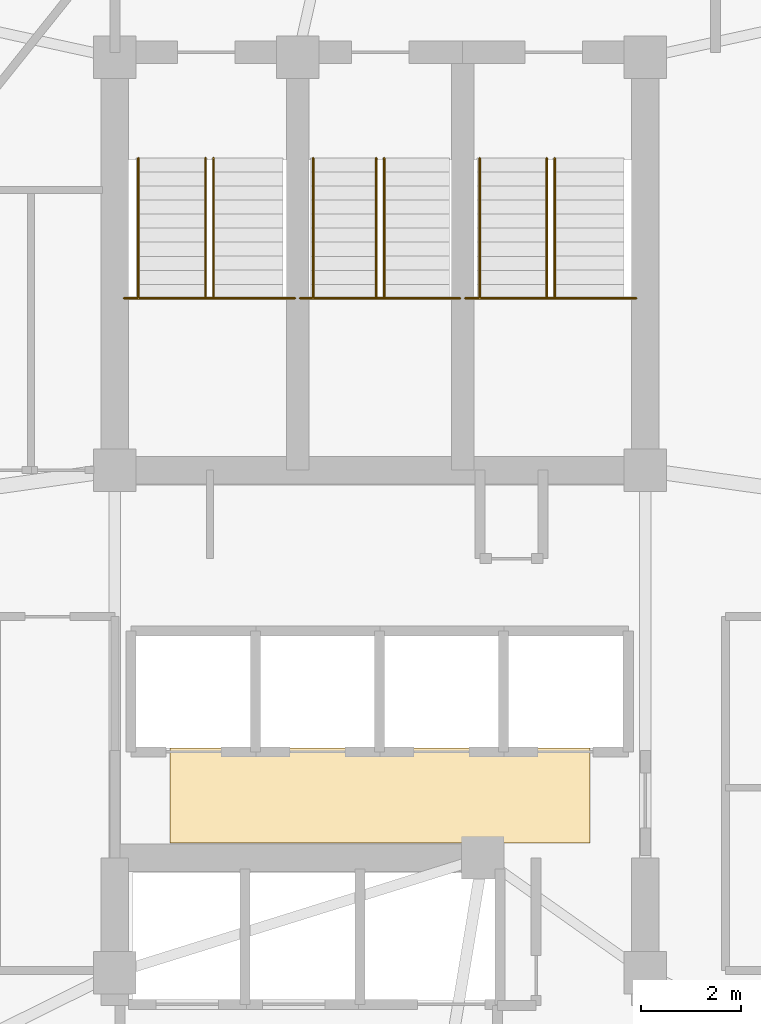
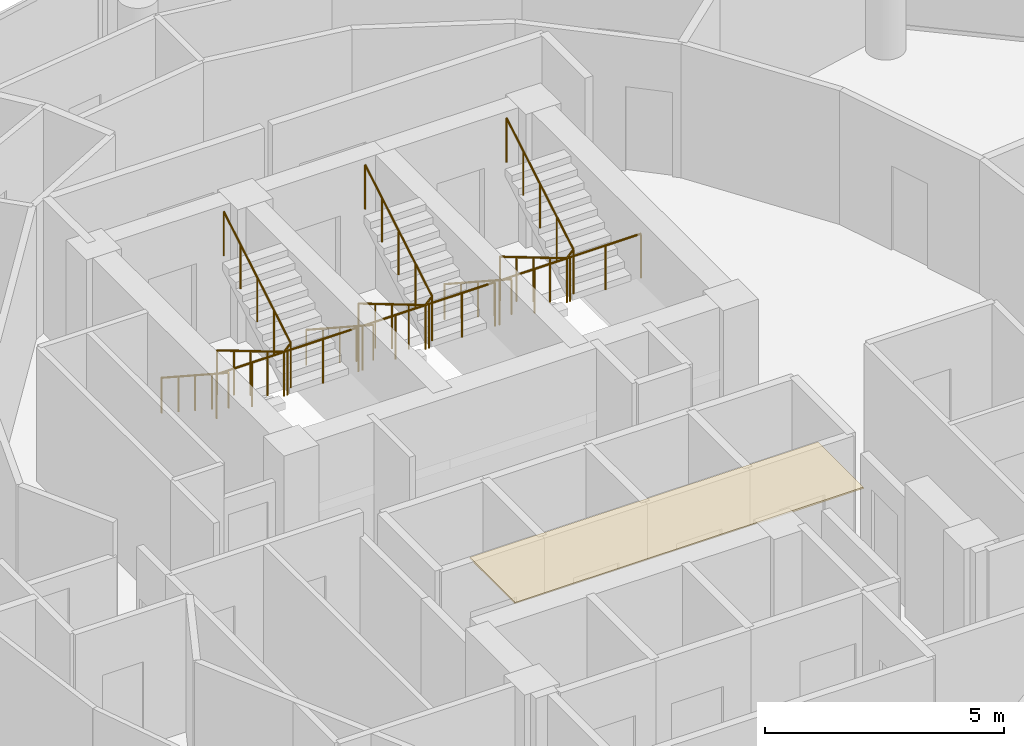
# One storey, part 27 of 27: 9 railings, 1 covering.
"""IFC4 building model written with IfcOpenShell, lengths in metres."""

from ifc_helpers import new_model, si_unit, direction, frame, origin, place, context, subcontext, project, spatial, polyline, outline, extrude, material, layer, layer_set, type_object, element, save


model = new_model("IFC4")

# Units and contexts
model_context = context("Model", 3, precision=1e-05, world=origin(), true_north=direction((0.0, 1.0)))
body_context = subcontext(model_context, "Body", "Model", "MODEL_VIEW")
ifc_project = project(units=[si_unit("LENGTHUNIT", "METRE"), si_unit("AREAUNIT", "SQUARE_METRE"), si_unit("VOLUMEUNIT", "CUBIC_METRE"), si_unit("PLANEANGLEUNIT", "RADIAN"), si_unit("MASSUNIT", "GRAM", prefix="KILO")], contexts=[model_context])

# Site, building, storey
site_placement = place(None, origin())
site = spatial("IfcSite", under=ifc_project, at=site_placement, CompositionType="ELEMENT")
building_placement = place(site_placement, origin())
building = spatial("IfcBuilding", under=site, at=building_placement, Name="Nuhasar Tower", CompositionType="ELEMENT")
storey_placement = place(building_placement, frame((0.0, 0.0, 215.449951171875)))
storey = spatial("IfcBuildingStorey", under=building, at=storey_placement, Name="L52", CompositionType="ELEMENT", Elevation=215.449951171875)

# Covering
ifc_material_1 = material(Name="Mineral Fibre Acoustic", Category="insulation")
ifc_layer = layer(ifc_material_1, 0.0400390625)
ifc_layer_set = layer_set([ifc_layer], Name="Mineral Fibre Acoustic")
covering_type = type_object("IfcCoveringType", Name="COV-CEIL-AC60", PredefinedType="CEILING", material=ifc_layer_set)
covering_placement = place(storey_placement, frame((0.0, 0.0, 3.3701171875)))
element("IfcCovering", 1, at=covering_placement, inside=storey, type_object=covering_type, Name="L52 Lift Lobby Acoustic Ceiling", PredefinedType="CEILING", context=body_context, shape_type="SweptSolid", body=[
    extrude(outline(polyline([(34.800048828125, 21.60009765625), (43.199951171875, 21.60009765625), (43.199951171875, 23.5), (34.800048828125, 23.5), (34.800048828125, 21.60009765625)])), origin(), (0.0, 0.0, 1.0), 0.0400390625),
])

# Railings
ifc_material_2 = material(Name="Steel S355", Category="steel")
railing_type_1 = type_object("IfcRailingType", Name="RLG-STAIR-GUARD-1150", PredefinedType="GUARDRAIL", material=ifc_material_2)
railing_1_placement = place(storey_placement, frame((33.8798828125, 32.485107421875, 1.824951171875)))
element("IfcRailing", 2, at=railing_1_placement, inside=storey, type_object=railing_type_1, Name="L52 Stair ST-01 Guardrail LND", PredefinedType="GUARDRAIL", context=body_context, shape_type="SweptSolid", body=[
    extrude(outline(polyline([(0.024169921875, 0.0), (0.01708984375, 0.01708984375), (0.0, 0.024169921875), (-0.01708984375, 0.01708984375), (-0.024169921875, 0.0), (-0.01708984375, -0.01708984375), (0.0, -0.024169921875), (0.01708984375, -0.01708984375), (0.024169921875, 0.0)])), frame((0.0, 0.0, 1.1259765625), z_axis=(1.0, 0.0, 0.0), x_axis=(0.0, 1.0, 0.0)), (0.0, 0.0, 1.0), 3.420166015625),
    extrude(outline(polyline([(0.02099609375, 0.0), (0.014892578125, 0.014892578125), (0.0, 0.02099609375), (-0.014892578125, 0.014892578125), (-0.02099609375, 0.0), (-0.014892578125, -0.014892578125), (0.0, -0.02099609375), (0.014892578125, -0.014892578125), (0.02099609375, 0.0)])), origin(), (0.0, 0.0, 1.0), 1.101806640625),
    extrude(outline(polyline([(0.02099609375, 0.0), (0.014892578125, 0.014892578125), (0.0, 0.02099609375), (-0.014892578125, 0.014892578125), (-0.02099609375, 0.0), (-0.014892578125, -0.014892578125), (0.0, -0.02099609375), (0.014892578125, -0.014892578125), (0.02099609375, 0.0)])), frame((0.85498046875, 0.0, 0.0)), (0.0, 0.0, 1.0), 1.101806640625),
    extrude(outline(polyline([(0.02099609375, 0.0), (0.014892578125, 0.014892578125), (0.0, 0.02099609375), (-0.014892578125, 0.014892578125), (-0.02099609375, 0.0), (-0.014892578125, -0.014892578125), (0.0, -0.02099609375), (0.014892578125, -0.014892578125), (0.02099609375, 0.0)])), frame((1.7099609375, 0.0, 0.0)), (0.0, 0.0, 1.0), 1.101806640625),
    extrude(outline(polyline([(0.02099609375, 0.0), (0.014892578125, 0.014892578125), (0.0, 0.02099609375), (-0.014892578125, 0.014892578125), (-0.02099609375, 0.0), (-0.014892578125, -0.014892578125), (0.0, -0.02099609375), (0.014892578125, -0.014892578125), (0.02099609375, 0.0)])), frame((2.565185546875, 0.0, 0.0)), (0.0, 0.0, 1.0), 1.101806640625),
    extrude(outline(polyline([(0.02099609375, 0.0), (0.014892578125, 0.014892578125), (0.0, 0.02099609375), (-0.014892578125, 0.014892578125), (-0.02099609375, 0.0), (-0.014892578125, -0.014892578125), (0.0, -0.02099609375), (0.014892578125, -0.014892578125), (0.02099609375, 0.0)])), frame((3.420166015625, 0.0, 0.0)), (0.0, 0.0, 1.0), 1.101806640625),
])
railing_2_placement = place(storey_placement, frame((35.510009765625, 35.284912109375, 0.166015625)))
element("IfcRailing", 3, at=railing_2_placement, inside=storey, type_object=railing_type_1, Name="L52 Stair ST-01 Guardrail SLT", PredefinedType="GUARDRAIL", context=body_context, shape_type="SweptSolid", body=[
    extrude(outline(polyline([(0.024169921875, 0.0), (0.01708984375, 0.01708984375), (0.0, 0.024169921875), (-0.01708984375, 0.01708984375), (-0.024169921875, 0.0), (-0.01708984375, -0.01708984375), (0.0, -0.024169921875), (0.01708984375, -0.01708984375), (0.024169921875, 0.0)])), frame((0.0, 0.0, 1.1259765625), z_axis=(0.0, -0.860319559791, 0.509755093197), x_axis=(1.0, 0.0, 0.0)), (0.0, 0.0, 1.0), 3.25439453125),
    extrude(outline(polyline([(0.024169921875, 0.0), (0.01708984375, 0.01708984375), (0.0, 0.024169921875), (-0.01708984375, 0.01708984375), (-0.024169921875, 0.0), (-0.01708984375, -0.01708984375), (0.0, -0.024169921875), (0.01708984375, -0.01708984375), (0.024169921875, 0.0)])), frame((0.0, -2.7998046875, 2.78466796875), z_axis=(0.693743449033, 0.0, 0.72022220663), x_axis=(0.0, 1.0, 0.0)), (0.0, 0.0, 1.0), 0.23046875),
    extrude(outline(polyline([(0.024169921875, 0.0), (0.01708984375, 0.01708984375), (0.0, 0.024169921875), (-0.01708984375, 0.01708984375), (-0.024169921875, 0.0), (-0.01708984375, -0.01708984375), (0.0, -0.024169921875), (0.01708984375, -0.01708984375), (0.024169921875, 0.0)])), frame((0.159912109375, -2.7998046875, 2.95068359375), z_axis=(0.0, 0.860286659441, 0.509810615413), x_axis=(-1.0, 0.0, 0.0)), (0.0, 0.0, 1.0), 3.25439453125),
    extrude(outline(polyline([(0.02099609375, 0.0), (0.014892578125, 0.014892578125), (0.0, 0.02099609375), (-0.014892578125, 0.014892578125), (-0.02099609375, 0.0), (-0.014892578125, -0.014892578125), (0.0, -0.02099609375), (0.014892578125, -0.014892578125), (0.02099609375, 0.0)])), origin(), (0.0, 0.0, 1.0), 1.101806640625),
    extrude(outline(polyline([(0.02099609375, 0.0), (0.014892578125, 0.014892578125), (0.0, 0.02099609375), (-0.014892578125, 0.014892578125), (-0.02099609375, 0.0), (-0.014892578125, -0.014892578125), (0.0, -0.02099609375), (0.014892578125, -0.014892578125), (0.02099609375, 0.0)])), frame((0.0, -0.699951171875, 0.414794921875)), (0.0, 0.0, 1.0), 1.101806640625),
    extrude(outline(polyline([(0.02099609375, 0.0), (0.014892578125, 0.014892578125), (0.0, 0.02099609375), (-0.014892578125, 0.014892578125), (-0.02099609375, 0.0), (-0.014892578125, -0.014892578125), (0.0, -0.02099609375), (0.014892578125, -0.014892578125), (0.02099609375, 0.0)])), frame((0.0, -1.39990234375, 0.82958984375)), (0.0, 0.0, 1.0), 1.101806640625),
    extrude(outline(polyline([(0.02099609375, 0.0), (0.014892578125, 0.014892578125), (0.0, 0.02099609375), (-0.014892578125, 0.014892578125), (-0.02099609375, 0.0), (-0.014892578125, -0.014892578125), (0.0, -0.02099609375), (0.014892578125, -0.014892578125), (0.02099609375, 0.0)])), frame((0.0, -2.099853515625, 1.244140625)), (0.0, 0.0, 1.0), 1.101806640625),
    extrude(outline(polyline([(0.02099609375, 0.0), (0.014892578125, 0.014892578125), (0.0, 0.02099609375), (-0.014892578125, 0.014892578125), (-0.02099609375, 0.0), (-0.014892578125, -0.014892578125), (0.0, -0.02099609375), (0.014892578125, -0.014892578125), (0.02099609375, 0.0)])), frame((0.0, -2.7998046875, 1.658935546875)), (0.0, 0.0, 1.0), 1.101806640625),
    extrude(outline(polyline([(0.02099609375, 0.0), (0.014892578125, 0.014892578125), (0.0, 0.02099609375), (-0.014892578125, 0.014892578125), (-0.02099609375, 0.0), (-0.014892578125, -0.014892578125), (0.0, -0.02099609375), (0.014892578125, -0.014892578125), (0.02099609375, 0.0)])), frame((0.159912109375, -2.7998046875, 1.824951171875)), (0.0, 0.0, 1.0), 1.101806640625),
    extrude(outline(polyline([(0.02099609375, 0.0), (0.014892578125, 0.014892578125), (0.0, 0.02099609375), (-0.014892578125, 0.014892578125), (-0.02099609375, 0.0), (-0.014892578125, -0.014892578125), (0.0, -0.02099609375), (0.014892578125, -0.014892578125), (0.02099609375, 0.0)])), frame((0.159912109375, -2.099853515625, 2.23974609375)), (0.0, 0.0, 1.0), 1.101806640625),
    extrude(outline(polyline([(0.02099609375, 0.0), (0.014892578125, 0.014892578125), (0.0, 0.02099609375), (-0.014892578125, 0.014892578125), (-0.02099609375, 0.0), (-0.014892578125, -0.014892578125), (0.0, -0.02099609375), (0.014892578125, -0.014892578125), (0.02099609375, 0.0)])), frame((0.159912109375, -1.39990234375, 2.654541015625)), (0.0, 0.0, 1.0), 1.101806640625),
    extrude(outline(polyline([(0.02099609375, 0.0), (0.014892578125, 0.014892578125), (0.0, 0.02099609375), (-0.014892578125, 0.014892578125), (-0.02099609375, 0.0), (-0.014892578125, -0.014892578125), (0.0, -0.02099609375), (0.014892578125, -0.014892578125), (0.02099609375, 0.0)])), frame((0.159912109375, -0.699951171875, 3.0693359375)), (0.0, 0.0, 1.0), 1.101806640625),
    extrude(outline(polyline([(0.02099609375, 0.0), (0.014892578125, 0.014892578125), (0.0, 0.02099609375), (-0.014892578125, 0.014892578125), (-0.02099609375, 0.0), (-0.014892578125, -0.014892578125), (0.0, -0.02099609375), (0.014892578125, -0.014892578125), (0.02099609375, 0.0)])), frame((0.159912109375, 0.0, 3.484130859375)), (0.0, 0.0, 1.0), 1.101806640625),
])
railing_3_placement = place(storey_placement, frame((37.39990234375, 32.485107421875, 1.824951171875)))
element("IfcRailing", 4, at=railing_3_placement, inside=storey, type_object=railing_type_1, Name="L52 Stair ST-03 Guardrail LND", PredefinedType="GUARDRAIL", context=body_context, shape_type="SweptSolid", body=[
    extrude(outline(polyline([(0.024169921875, 0.0), (0.01708984375, 0.01708984375), (0.0, 0.024169921875), (-0.01708984375, 0.01708984375), (-0.024169921875, 0.0), (-0.01708984375, -0.01708984375), (0.0, -0.024169921875), (0.01708984375, -0.01708984375), (0.024169921875, 0.0)])), frame((0.0, 0.0, 1.1259765625), z_axis=(1.0, 0.0, 0.0), x_axis=(0.0, 1.0, 0.0)), (0.0, 0.0, 1.0), 3.2001953125),
    extrude(outline(polyline([(0.02099609375, 0.0), (0.014892578125, 0.014892578125), (0.0, 0.02099609375), (-0.014892578125, 0.014892578125), (-0.02099609375, 0.0), (-0.014892578125, -0.014892578125), (0.0, -0.02099609375), (0.014892578125, -0.014892578125), (0.02099609375, 0.0)])), origin(), (0.0, 0.0, 1.0), 1.101806640625),
    extrude(outline(polyline([(0.02099609375, 0.0), (0.014892578125, 0.014892578125), (0.0, 0.02099609375), (-0.014892578125, 0.014892578125), (-0.02099609375, 0.0), (-0.014892578125, -0.014892578125), (0.0, -0.02099609375), (0.014892578125, -0.014892578125), (0.02099609375, 0.0)])), frame((0.800048828125, 0.0, 0.0)), (0.0, 0.0, 1.0), 1.101806640625),
    extrude(outline(polyline([(0.02099609375, 0.0), (0.014892578125, 0.014892578125), (0.0, 0.02099609375), (-0.014892578125, 0.014892578125), (-0.02099609375, 0.0), (-0.014892578125, -0.014892578125), (0.0, -0.02099609375), (0.014892578125, -0.014892578125), (0.02099609375, 0.0)])), frame((1.60009765625, 0.0, 0.0)), (0.0, 0.0, 1.0), 1.101806640625),
    extrude(outline(polyline([(0.02099609375, 0.0), (0.014892578125, 0.014892578125), (0.0, 0.02099609375), (-0.014892578125, 0.014892578125), (-0.02099609375, 0.0), (-0.014892578125, -0.014892578125), (0.0, -0.02099609375), (0.014892578125, -0.014892578125), (0.02099609375, 0.0)])), frame((2.400146484375, 0.0, 0.0)), (0.0, 0.0, 1.0), 1.101806640625),
    extrude(outline(polyline([(0.02099609375, 0.0), (0.014892578125, 0.014892578125), (0.0, 0.02099609375), (-0.014892578125, 0.014892578125), (-0.02099609375, 0.0), (-0.014892578125, -0.014892578125), (0.0, -0.02099609375), (0.014892578125, -0.014892578125), (0.02099609375, 0.0)])), frame((3.2001953125, 0.0, 0.0)), (0.0, 0.0, 1.0), 1.101806640625),
])
railing_4_placement = place(storey_placement, frame((38.919921875, 35.284912109375, 0.166015625)))
element("IfcRailing", 5, at=railing_4_placement, inside=storey, type_object=railing_type_1, Name="L52 Stair ST-03 Guardrail SLT", PredefinedType="GUARDRAIL", context=body_context, shape_type="SweptSolid", body=[
    extrude(outline(polyline([(0.024169921875, 0.0), (0.01708984375, 0.01708984375), (0.0, 0.024169921875), (-0.01708984375, 0.01708984375), (-0.024169921875, 0.0), (-0.01708984375, -0.01708984375), (0.0, -0.024169921875), (0.01708984375, -0.01708984375), (0.024169921875, 0.0)])), frame((0.0, 0.0, 1.1259765625), z_axis=(0.0, -0.860319559791, 0.509755093197), x_axis=(1.0, 0.0, 0.0)), (0.0, 0.0, 1.0), 3.25439453125),
    extrude(outline(polyline([(0.024169921875, 0.0), (0.01708984375, 0.01708984375), (0.0, 0.024169921875), (-0.01708984375, 0.01708984375), (-0.024169921875, 0.0), (-0.01708984375, -0.01708984375), (0.0, -0.024169921875), (0.01708984375, -0.01708984375), (0.024169921875, 0.0)])), frame((0.0, -2.7998046875, 2.78466796875), z_axis=(0.694292246407, 0.0, 0.719693182251), x_axis=(0.0, 1.0, 0.0)), (0.0, 0.0, 1.0), 0.230712890625),
    extrude(outline(polyline([(0.024169921875, 0.0), (0.01708984375, 0.01708984375), (0.0, 0.024169921875), (-0.01708984375, 0.01708984375), (-0.024169921875, 0.0), (-0.01708984375, -0.01708984375), (0.0, -0.024169921875), (0.01708984375, -0.01708984375), (0.024169921875, 0.0)])), frame((0.16015625, -2.7998046875, 2.95068359375), z_axis=(0.0, 0.860286659441, 0.509810615413), x_axis=(-1.0, 0.0, 0.0)), (0.0, 0.0, 1.0), 3.25439453125),
    extrude(outline(polyline([(0.02099609375, 0.0), (0.014892578125, 0.014892578125), (0.0, 0.02099609375), (-0.014892578125, 0.014892578125), (-0.02099609375, 0.0), (-0.014892578125, -0.014892578125), (0.0, -0.02099609375), (0.014892578125, -0.014892578125), (0.02099609375, 0.0)])), origin(), (0.0, 0.0, 1.0), 1.101806640625),
    extrude(outline(polyline([(0.02099609375, 0.0), (0.014892578125, 0.014892578125), (0.0, 0.02099609375), (-0.014892578125, 0.014892578125), (-0.02099609375, 0.0), (-0.014892578125, -0.014892578125), (0.0, -0.02099609375), (0.014892578125, -0.014892578125), (0.02099609375, 0.0)])), frame((0.0, -0.699951171875, 0.414794921875)), (0.0, 0.0, 1.0), 1.101806640625),
    extrude(outline(polyline([(0.02099609375, 0.0), (0.014892578125, 0.014892578125), (0.0, 0.02099609375), (-0.014892578125, 0.014892578125), (-0.02099609375, 0.0), (-0.014892578125, -0.014892578125), (0.0, -0.02099609375), (0.014892578125, -0.014892578125), (0.02099609375, 0.0)])), frame((0.0, -1.39990234375, 0.82958984375)), (0.0, 0.0, 1.0), 1.101806640625),
    extrude(outline(polyline([(0.02099609375, 0.0), (0.014892578125, 0.014892578125), (0.0, 0.02099609375), (-0.014892578125, 0.014892578125), (-0.02099609375, 0.0), (-0.014892578125, -0.014892578125), (0.0, -0.02099609375), (0.014892578125, -0.014892578125), (0.02099609375, 0.0)])), frame((0.0, -2.099853515625, 1.244140625)), (0.0, 0.0, 1.0), 1.101806640625),
    extrude(outline(polyline([(0.02099609375, 0.0), (0.014892578125, 0.014892578125), (0.0, 0.02099609375), (-0.014892578125, 0.014892578125), (-0.02099609375, 0.0), (-0.014892578125, -0.014892578125), (0.0, -0.02099609375), (0.014892578125, -0.014892578125), (0.02099609375, 0.0)])), frame((0.0, -2.7998046875, 1.658935546875)), (0.0, 0.0, 1.0), 1.101806640625),
    extrude(outline(polyline([(0.02099609375, 0.0), (0.014892578125, 0.014892578125), (0.0, 0.02099609375), (-0.014892578125, 0.014892578125), (-0.02099609375, 0.0), (-0.014892578125, -0.014892578125), (0.0, -0.02099609375), (0.014892578125, -0.014892578125), (0.02099609375, 0.0)])), frame((0.16015625, -2.7998046875, 1.824951171875)), (0.0, 0.0, 1.0), 1.101806640625),
    extrude(outline(polyline([(0.02099609375, 0.0), (0.014892578125, 0.014892578125), (0.0, 0.02099609375), (-0.014892578125, 0.014892578125), (-0.02099609375, 0.0), (-0.014892578125, -0.014892578125), (0.0, -0.02099609375), (0.014892578125, -0.014892578125), (0.02099609375, 0.0)])), frame((0.16015625, -2.099853515625, 2.23974609375)), (0.0, 0.0, 1.0), 1.101806640625),
    extrude(outline(polyline([(0.02099609375, 0.0), (0.014892578125, 0.014892578125), (0.0, 0.02099609375), (-0.014892578125, 0.014892578125), (-0.02099609375, 0.0), (-0.014892578125, -0.014892578125), (0.0, -0.02099609375), (0.014892578125, -0.014892578125), (0.02099609375, 0.0)])), frame((0.16015625, -1.39990234375, 2.654541015625)), (0.0, 0.0, 1.0), 1.101806640625),
    extrude(outline(polyline([(0.02099609375, 0.0), (0.014892578125, 0.014892578125), (0.0, 0.02099609375), (-0.014892578125, 0.014892578125), (-0.02099609375, 0.0), (-0.014892578125, -0.014892578125), (0.0, -0.02099609375), (0.014892578125, -0.014892578125), (0.02099609375, 0.0)])), frame((0.16015625, -0.699951171875, 3.0693359375)), (0.0, 0.0, 1.0), 1.101806640625),
    extrude(outline(polyline([(0.02099609375, 0.0), (0.014892578125, 0.014892578125), (0.0, 0.02099609375), (-0.014892578125, 0.014892578125), (-0.02099609375, 0.0), (-0.014892578125, -0.014892578125), (0.0, -0.02099609375), (0.014892578125, -0.014892578125), (0.02099609375, 0.0)])), frame((0.16015625, 0.0, 3.484130859375)), (0.0, 0.0, 1.0), 1.101806640625),
])
railing_5_placement = place(storey_placement, frame((40.699951171875, 32.485107421875, 1.824951171875)))
element("IfcRailing", 6, at=railing_5_placement, inside=storey, type_object=railing_type_1, Name="L52 Stair ST-02 Guardrail LND", PredefinedType="GUARDRAIL", context=body_context, shape_type="SweptSolid", body=[
    extrude(outline(polyline([(0.024169921875, 0.0), (0.01708984375, 0.01708984375), (0.0, 0.024169921875), (-0.01708984375, 0.01708984375), (-0.024169921875, 0.0), (-0.01708984375, -0.01708984375), (0.0, -0.024169921875), (0.01708984375, -0.01708984375), (0.024169921875, 0.0)])), frame((0.0, 0.0, 1.1259765625), z_axis=(1.0, 0.0, 0.0), x_axis=(0.0, 1.0, 0.0)), (0.0, 0.0, 1.0), 3.420166015625),
    extrude(outline(polyline([(0.02099609375, 0.0), (0.014892578125, 0.014892578125), (0.0, 0.02099609375), (-0.014892578125, 0.014892578125), (-0.02099609375, 0.0), (-0.014892578125, -0.014892578125), (0.0, -0.02099609375), (0.014892578125, -0.014892578125), (0.02099609375, 0.0)])), origin(), (0.0, 0.0, 1.0), 1.101806640625),
    extrude(outline(polyline([(0.02099609375, 0.0), (0.014892578125, 0.014892578125), (0.0, 0.02099609375), (-0.014892578125, 0.014892578125), (-0.02099609375, 0.0), (-0.014892578125, -0.014892578125), (0.0, -0.02099609375), (0.014892578125, -0.014892578125), (0.02099609375, 0.0)])), frame((0.85498046875, 0.0, 0.0)), (0.0, 0.0, 1.0), 1.101806640625),
    extrude(outline(polyline([(0.02099609375, 0.0), (0.014892578125, 0.014892578125), (0.0, 0.02099609375), (-0.014892578125, 0.014892578125), (-0.02099609375, 0.0), (-0.014892578125, -0.014892578125), (0.0, -0.02099609375), (0.014892578125, -0.014892578125), (0.02099609375, 0.0)])), frame((1.7099609375, 0.0, 0.0)), (0.0, 0.0, 1.0), 1.101806640625),
    extrude(outline(polyline([(0.02099609375, 0.0), (0.014892578125, 0.014892578125), (0.0, 0.02099609375), (-0.014892578125, 0.014892578125), (-0.02099609375, 0.0), (-0.014892578125, -0.014892578125), (0.0, -0.02099609375), (0.014892578125, -0.014892578125), (0.02099609375, 0.0)])), frame((2.565185546875, 0.0, 0.0)), (0.0, 0.0, 1.0), 1.101806640625),
    extrude(outline(polyline([(0.02099609375, 0.0), (0.014892578125, 0.014892578125), (0.0, 0.02099609375), (-0.014892578125, 0.014892578125), (-0.02099609375, 0.0), (-0.014892578125, -0.014892578125), (0.0, -0.02099609375), (0.014892578125, -0.014892578125), (0.02099609375, 0.0)])), frame((3.420166015625, 0.0, 0.0)), (0.0, 0.0, 1.0), 1.101806640625),
])
railing_6_placement = place(storey_placement, frame((42.330078125, 35.284912109375, 0.166015625)))
element("IfcRailing", 7, at=railing_6_placement, inside=storey, type_object=railing_type_1, Name="L52 Stair ST-02 Guardrail SLT", PredefinedType="GUARDRAIL", context=body_context, shape_type="SweptSolid", body=[
    extrude(outline(polyline([(0.024169921875, 0.0), (0.01708984375, 0.01708984375), (0.0, 0.024169921875), (-0.01708984375, 0.01708984375), (-0.024169921875, 0.0), (-0.01708984375, -0.01708984375), (0.0, -0.024169921875), (0.01708984375, -0.01708984375), (0.024169921875, 0.0)])), frame((0.0, 0.0, 1.1259765625), z_axis=(0.0, -0.860319559791, 0.509755093197), x_axis=(1.0, 0.0, 0.0)), (0.0, 0.0, 1.0), 3.25439453125),
    extrude(outline(polyline([(0.024169921875, 0.0), (0.01708984375, 0.01708984375), (0.0, 0.024169921875), (-0.01708984375, 0.01708984375), (-0.024169921875, 0.0), (-0.01708984375, -0.01708984375), (0.0, -0.024169921875), (0.01708984375, -0.01708984375), (0.024169921875, 0.0)])), frame((0.0, -2.7998046875, 2.78466796875), z_axis=(0.693743449033, 0.0, 0.72022220663), x_axis=(0.0, 1.0, 0.0)), (0.0, 0.0, 1.0), 0.23046875),
    extrude(outline(polyline([(0.024169921875, 0.0), (0.01708984375, 0.01708984375), (0.0, 0.024169921875), (-0.01708984375, 0.01708984375), (-0.024169921875, 0.0), (-0.01708984375, -0.01708984375), (0.0, -0.024169921875), (0.01708984375, -0.01708984375), (0.024169921875, 0.0)])), frame((0.159912109375, -2.7998046875, 2.95068359375), z_axis=(0.0, 0.860286659441, 0.509810615413), x_axis=(-1.0, 0.0, 0.0)), (0.0, 0.0, 1.0), 3.25439453125),
    extrude(outline(polyline([(0.02099609375, 0.0), (0.014892578125, 0.014892578125), (0.0, 0.02099609375), (-0.014892578125, 0.014892578125), (-0.02099609375, 0.0), (-0.014892578125, -0.014892578125), (0.0, -0.02099609375), (0.014892578125, -0.014892578125), (0.02099609375, 0.0)])), origin(), (0.0, 0.0, 1.0), 1.101806640625),
    extrude(outline(polyline([(0.02099609375, 0.0), (0.014892578125, 0.014892578125), (0.0, 0.02099609375), (-0.014892578125, 0.014892578125), (-0.02099609375, 0.0), (-0.014892578125, -0.014892578125), (0.0, -0.02099609375), (0.014892578125, -0.014892578125), (0.02099609375, 0.0)])), frame((0.0, -0.699951171875, 0.414794921875)), (0.0, 0.0, 1.0), 1.101806640625),
    extrude(outline(polyline([(0.02099609375, 0.0), (0.014892578125, 0.014892578125), (0.0, 0.02099609375), (-0.014892578125, 0.014892578125), (-0.02099609375, 0.0), (-0.014892578125, -0.014892578125), (0.0, -0.02099609375), (0.014892578125, -0.014892578125), (0.02099609375, 0.0)])), frame((0.0, -1.39990234375, 0.82958984375)), (0.0, 0.0, 1.0), 1.101806640625),
    extrude(outline(polyline([(0.02099609375, 0.0), (0.014892578125, 0.014892578125), (0.0, 0.02099609375), (-0.014892578125, 0.014892578125), (-0.02099609375, 0.0), (-0.014892578125, -0.014892578125), (0.0, -0.02099609375), (0.014892578125, -0.014892578125), (0.02099609375, 0.0)])), frame((0.0, -2.099853515625, 1.244140625)), (0.0, 0.0, 1.0), 1.101806640625),
    extrude(outline(polyline([(0.02099609375, 0.0), (0.014892578125, 0.014892578125), (0.0, 0.02099609375), (-0.014892578125, 0.014892578125), (-0.02099609375, 0.0), (-0.014892578125, -0.014892578125), (0.0, -0.02099609375), (0.014892578125, -0.014892578125), (0.02099609375, 0.0)])), frame((0.0, -2.7998046875, 1.658935546875)), (0.0, 0.0, 1.0), 1.101806640625),
    extrude(outline(polyline([(0.02099609375, 0.0), (0.014892578125, 0.014892578125), (0.0, 0.02099609375), (-0.014892578125, 0.014892578125), (-0.02099609375, 0.0), (-0.014892578125, -0.014892578125), (0.0, -0.02099609375), (0.014892578125, -0.014892578125), (0.02099609375, 0.0)])), frame((0.159912109375, -2.7998046875, 1.824951171875)), (0.0, 0.0, 1.0), 1.101806640625),
    extrude(outline(polyline([(0.02099609375, 0.0), (0.014892578125, 0.014892578125), (0.0, 0.02099609375), (-0.014892578125, 0.014892578125), (-0.02099609375, 0.0), (-0.014892578125, -0.014892578125), (0.0, -0.02099609375), (0.014892578125, -0.014892578125), (0.02099609375, 0.0)])), frame((0.159912109375, -2.099853515625, 2.23974609375)), (0.0, 0.0, 1.0), 1.101806640625),
    extrude(outline(polyline([(0.02099609375, 0.0), (0.014892578125, 0.014892578125), (0.0, 0.02099609375), (-0.014892578125, 0.014892578125), (-0.02099609375, 0.0), (-0.014892578125, -0.014892578125), (0.0, -0.02099609375), (0.014892578125, -0.014892578125), (0.02099609375, 0.0)])), frame((0.159912109375, -1.39990234375, 2.654541015625)), (0.0, 0.0, 1.0), 1.101806640625),
    extrude(outline(polyline([(0.02099609375, 0.0), (0.014892578125, 0.014892578125), (0.0, 0.02099609375), (-0.014892578125, 0.014892578125), (-0.02099609375, 0.0), (-0.014892578125, -0.014892578125), (0.0, -0.02099609375), (0.014892578125, -0.014892578125), (0.02099609375, 0.0)])), frame((0.159912109375, -0.699951171875, 3.0693359375)), (0.0, 0.0, 1.0), 1.101806640625),
    extrude(outline(polyline([(0.02099609375, 0.0), (0.014892578125, 0.014892578125), (0.0, 0.02099609375), (-0.014892578125, 0.014892578125), (-0.02099609375, 0.0), (-0.014892578125, -0.014892578125), (0.0, -0.02099609375), (0.014892578125, -0.014892578125), (0.02099609375, 0.0)])), frame((0.159912109375, 0.0, 3.484130859375)), (0.0, 0.0, 1.0), 1.101806640625),
])
ifc_material_3 = material(Name="Stainless Steel 316L", Category="steel")
railing_type_2 = type_object("IfcRailingType", Name="RLG-STAIR-HAND-920", PredefinedType="HANDRAIL", material=ifc_material_3)
railing_7_placement = place(storey_placement, frame((34.169921875, 35.284912109375, 0.166015625)))
element("IfcRailing", 8, at=railing_7_placement, inside=storey, type_object=railing_type_2, Name="L52 Stair ST-01 Handrail HND1", PredefinedType="HANDRAIL", context=body_context, shape_type="SweptSolid", body=[
    extrude(outline(polyline([(0.024169921875, 0.0), (0.01708984375, 0.01708984375), (0.0, 0.024169921875), (-0.01708984375, 0.01708984375), (-0.024169921875, 0.0), (-0.01708984375, -0.01708984375), (0.0, -0.024169921875), (0.01708984375, -0.01708984375), (0.024169921875, 0.0)])), frame((0.0, 0.0, 0.89599609375), z_axis=(0.0, -0.837748630625, 0.546056070276), x_axis=(1.0, 0.0, 0.0)), (0.0, 0.0, 1.0), 3.342041015625),
    extrude(outline(polyline([(0.02099609375, 0.0), (0.014892578125, 0.014892578125), (0.0, 0.02099609375), (-0.014892578125, 0.014892578125), (-0.02099609375, 0.0), (-0.014892578125, -0.014892578125), (0.0, -0.02099609375), (0.014892578125, -0.014892578125), (0.02099609375, 0.0)])), origin(), (0.0, 0.0, 1.0), 0.871826171875),
    extrude(outline(polyline([(0.02099609375, 0.0), (0.014892578125, 0.014892578125), (0.0, 0.02099609375), (-0.014892578125, 0.014892578125), (-0.02099609375, 0.0), (-0.014892578125, -0.014892578125), (0.0, -0.02099609375), (0.014892578125, -0.014892578125), (0.02099609375, 0.0)])), frame((0.0, -0.699951171875, 0.456298828125)), (0.0, 0.0, 1.0), 0.871826171875),
    extrude(outline(polyline([(0.02099609375, 0.0), (0.014892578125, 0.014892578125), (0.0, 0.02099609375), (-0.014892578125, 0.014892578125), (-0.02099609375, 0.0), (-0.014892578125, -0.014892578125), (0.0, -0.02099609375), (0.014892578125, -0.014892578125), (0.02099609375, 0.0)])), frame((0.0, -1.39990234375, 0.91259765625)), (0.0, 0.0, 1.0), 0.871826171875),
    extrude(outline(polyline([(0.02099609375, 0.0), (0.014892578125, 0.014892578125), (0.0, 0.02099609375), (-0.014892578125, 0.014892578125), (-0.02099609375, 0.0), (-0.014892578125, -0.014892578125), (0.0, -0.02099609375), (0.014892578125, -0.014892578125), (0.02099609375, 0.0)])), frame((0.0, -2.099853515625, 1.36865234375)), (0.0, 0.0, 1.0), 0.871826171875),
    extrude(outline(polyline([(0.02099609375, 0.0), (0.014892578125, 0.014892578125), (0.0, 0.02099609375), (-0.014892578125, 0.014892578125), (-0.02099609375, 0.0), (-0.014892578125, -0.014892578125), (0.0, -0.02099609375), (0.014892578125, -0.014892578125), (0.02099609375, 0.0)])), frame((0.0, -2.7998046875, 1.824951171875)), (0.0, 0.0, 1.0), 0.871826171875),
])
railing_8_placement = place(storey_placement, frame((37.659912109375, 35.284912109375, 0.166015625)))
element("IfcRailing", 9, at=railing_8_placement, inside=storey, type_object=railing_type_2, Name="L52 Stair ST-03 Handrail HND1", PredefinedType="HANDRAIL", context=body_context, shape_type="SweptSolid", body=[
    extrude(outline(polyline([(0.024169921875, 0.0), (0.01708984375, 0.01708984375), (0.0, 0.024169921875), (-0.01708984375, 0.01708984375), (-0.024169921875, 0.0), (-0.01708984375, -0.01708984375), (0.0, -0.024169921875), (0.01708984375, -0.01708984375), (0.024169921875, 0.0)])), frame((0.0, 0.0, 0.89599609375), z_axis=(0.0, -0.837748630625, 0.546056070276), x_axis=(1.0, 0.0, 0.0)), (0.0, 0.0, 1.0), 3.342041015625),
    extrude(outline(polyline([(0.02099609375, 0.0), (0.014892578125, 0.014892578125), (0.0, 0.02099609375), (-0.014892578125, 0.014892578125), (-0.02099609375, 0.0), (-0.014892578125, -0.014892578125), (0.0, -0.02099609375), (0.014892578125, -0.014892578125), (0.02099609375, 0.0)])), origin(), (0.0, 0.0, 1.0), 0.871826171875),
    extrude(outline(polyline([(0.02099609375, 0.0), (0.014892578125, 0.014892578125), (0.0, 0.02099609375), (-0.014892578125, 0.014892578125), (-0.02099609375, 0.0), (-0.014892578125, -0.014892578125), (0.0, -0.02099609375), (0.014892578125, -0.014892578125), (0.02099609375, 0.0)])), frame((0.0, -0.699951171875, 0.456298828125)), (0.0, 0.0, 1.0), 0.871826171875),
    extrude(outline(polyline([(0.02099609375, 0.0), (0.014892578125, 0.014892578125), (0.0, 0.02099609375), (-0.014892578125, 0.014892578125), (-0.02099609375, 0.0), (-0.014892578125, -0.014892578125), (0.0, -0.02099609375), (0.014892578125, -0.014892578125), (0.02099609375, 0.0)])), frame((0.0, -1.39990234375, 0.91259765625)), (0.0, 0.0, 1.0), 0.871826171875),
    extrude(outline(polyline([(0.02099609375, 0.0), (0.014892578125, 0.014892578125), (0.0, 0.02099609375), (-0.014892578125, 0.014892578125), (-0.02099609375, 0.0), (-0.014892578125, -0.014892578125), (0.0, -0.02099609375), (0.014892578125, -0.014892578125), (0.02099609375, 0.0)])), frame((0.0, -2.099853515625, 1.36865234375)), (0.0, 0.0, 1.0), 0.871826171875),
    extrude(outline(polyline([(0.02099609375, 0.0), (0.014892578125, 0.014892578125), (0.0, 0.02099609375), (-0.014892578125, 0.014892578125), (-0.02099609375, 0.0), (-0.014892578125, -0.014892578125), (0.0, -0.02099609375), (0.014892578125, -0.014892578125), (0.02099609375, 0.0)])), frame((0.0, -2.7998046875, 1.824951171875)), (0.0, 0.0, 1.0), 0.871826171875),
])
railing_9_placement = place(storey_placement, frame((40.989990234375, 35.284912109375, 0.166015625)))
element("IfcRailing", 10, at=railing_9_placement, inside=storey, type_object=railing_type_2, Name="L52 Stair ST-02 Handrail HND1", PredefinedType="HANDRAIL", context=body_context, shape_type="SweptSolid", body=[
    extrude(outline(polyline([(0.024169921875, 0.0), (0.01708984375, 0.01708984375), (0.0, 0.024169921875), (-0.01708984375, 0.01708984375), (-0.024169921875, 0.0), (-0.01708984375, -0.01708984375), (0.0, -0.024169921875), (0.01708984375, -0.01708984375), (0.024169921875, 0.0)])), frame((0.0, 0.0, 0.89599609375), z_axis=(0.0, -0.837748630625, 0.546056070276), x_axis=(1.0, 0.0, 0.0)), (0.0, 0.0, 1.0), 3.342041015625),
    extrude(outline(polyline([(0.02099609375, 0.0), (0.014892578125, 0.014892578125), (0.0, 0.02099609375), (-0.014892578125, 0.014892578125), (-0.02099609375, 0.0), (-0.014892578125, -0.014892578125), (0.0, -0.02099609375), (0.014892578125, -0.014892578125), (0.02099609375, 0.0)])), origin(), (0.0, 0.0, 1.0), 0.871826171875),
    extrude(outline(polyline([(0.02099609375, 0.0), (0.014892578125, 0.014892578125), (0.0, 0.02099609375), (-0.014892578125, 0.014892578125), (-0.02099609375, 0.0), (-0.014892578125, -0.014892578125), (0.0, -0.02099609375), (0.014892578125, -0.014892578125), (0.02099609375, 0.0)])), frame((0.0, -0.699951171875, 0.456298828125)), (0.0, 0.0, 1.0), 0.871826171875),
    extrude(outline(polyline([(0.02099609375, 0.0), (0.014892578125, 0.014892578125), (0.0, 0.02099609375), (-0.014892578125, 0.014892578125), (-0.02099609375, 0.0), (-0.014892578125, -0.014892578125), (0.0, -0.02099609375), (0.014892578125, -0.014892578125), (0.02099609375, 0.0)])), frame((0.0, -1.39990234375, 0.91259765625)), (0.0, 0.0, 1.0), 0.871826171875),
    extrude(outline(polyline([(0.02099609375, 0.0), (0.014892578125, 0.014892578125), (0.0, 0.02099609375), (-0.014892578125, 0.014892578125), (-0.02099609375, 0.0), (-0.014892578125, -0.014892578125), (0.0, -0.02099609375), (0.014892578125, -0.014892578125), (0.02099609375, 0.0)])), frame((0.0, -2.099853515625, 1.36865234375)), (0.0, 0.0, 1.0), 0.871826171875),
    extrude(outline(polyline([(0.02099609375, 0.0), (0.014892578125, 0.014892578125), (0.0, 0.02099609375), (-0.014892578125, 0.014892578125), (-0.02099609375, 0.0), (-0.014892578125, -0.014892578125), (0.0, -0.02099609375), (0.014892578125, -0.014892578125), (0.02099609375, 0.0)])), frame((0.0, -2.7998046875, 1.824951171875)), (0.0, 0.0, 1.0), 0.871826171875),
])

save(model, "model.ifc")
